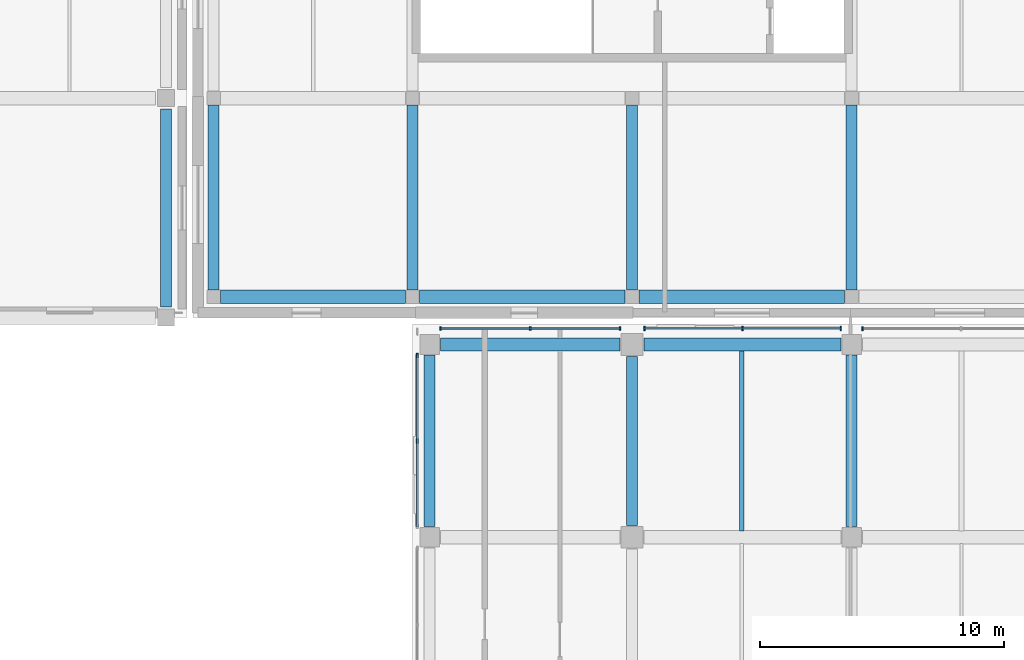
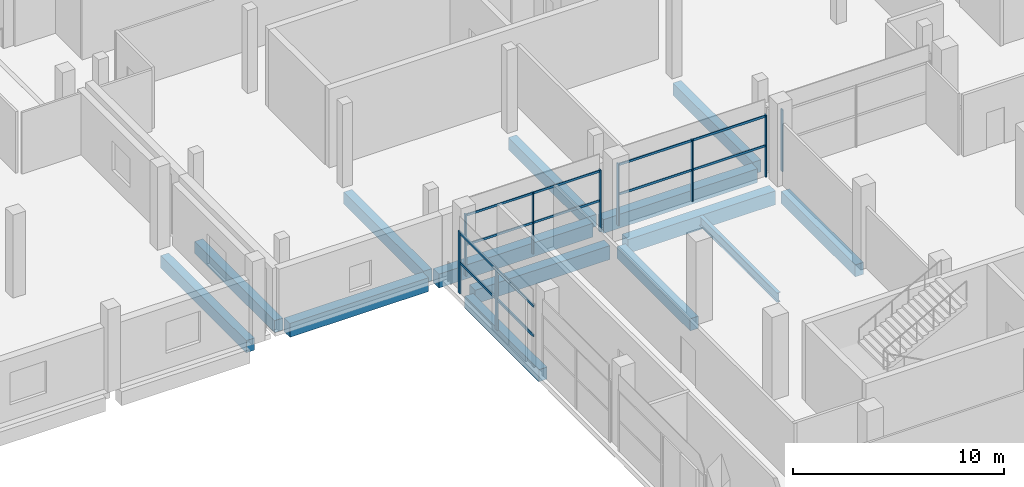
# One storey, part 37 of 111: 15 members, 14 beams, 4 elements without a shape of their own.
"""IFC4 building model written with IfcOpenShell, lengths in metres."""

from ifc_helpers import new_model, si_unit, direction, frame, origin, origin_2d, place, context, subcontext, project, spatial, rectangle, i_section, extrude, material, material_profile, profile_set, type_object, element, aggregate, save


model = new_model("IFC4")

# Units and contexts
model_context = context("Model", 3, precision=1e-05, world=origin(), true_north=direction((0.0, 1.0)))
body_context = subcontext(model_context, "Body", "Model", "MODEL_VIEW")
ifc_project = project(units=[si_unit("LENGTHUNIT", "METRE"), si_unit("AREAUNIT", "SQUARE_METRE"), si_unit("VOLUMEUNIT", "CUBIC_METRE"), si_unit("PLANEANGLEUNIT", "RADIAN"), si_unit("MASSUNIT", "GRAM", prefix="KILO"), si_unit("THERMODYNAMICTEMPERATUREUNIT", "KELVIN"), si_unit("POWERUNIT", "WATT")], contexts=[model_context])

# Site, building, storey
site_placement = place(None, origin())
site = spatial("IfcSite", under=ifc_project, at=site_placement, CompositionType="ELEMENT")
building_placement = place(site_placement, origin())
building = spatial("IfcBuilding", under=site, at=building_placement, Name="Sindhuravela Promenade Stadium", CompositionType="ELEMENT")
storey_placement = place(building_placement, frame((0.0, 0.0, 9.60009765625)))
storey = spatial("IfcBuildingStorey", under=building, at=storey_placement, Name="L02", CompositionType="ELEMENT", Elevation=9.60009765625)

# Curtain wall, members
ifc_material_1 = material(Name="Anodised architectural aluminium 6063-T6", Category="aluminium")
curtain_wall_type_1 = type_object("IfcCurtainWallType", Name="CW-MOD-7", PredefinedType="NOTDEFINED", material=ifc_material_1)
curtain_wall_1_placement = place(storey_placement, origin())
curtain_wall_1 = element("IfcCurtainWall", 1, at=curtain_wall_1_placement, inside=storey, type_object=curtain_wall_type_1, Name="Bronze curtain wall CW-EAST-L02-102", PredefinedType="NOTDEFINED")
ifc_material_profile_1 = material_profile(ifc_material_1, rectangle(XDim=0.074951171875, YDim=0.175048828125, at=origin_2d()), Name="ALU MULL 75x175")
ifc_profile_set_1 = profile_set([ifc_material_profile_1], Name="Anodised architectural aluminium 6063-T6")
member_type_1 = type_object("IfcMemberType", Name="CW-MUL-1", PredefinedType="MULLION", material=ifc_profile_set_1)
member_1_placement = place(storey_placement, frame((171.199951171875, 120.949951171875, 0.0), z_axis=(0.0, 0.0, 1.0), x_axis=(1.0, 0.0, 0.0)))
member_1 = element("IfcMember", 2, at=member_1_placement, type_object=member_type_1, Name="Curtain wall mullion CW-EAST-L02-102-M2", PredefinedType="MULLION", context=body_context, shape_type="SweptSolid", body=[
    extrude(rectangle(XDim=0.074951171875, YDim=0.175048828125, at=origin_2d()), origin(), (0.0, 0.0, 1.0), 3.579833984375),
])
member_2_placement = place(storey_placement, frame((171.199951171875, 124.449951171875, 0.0), z_axis=(0.0, 0.0, 1.0), x_axis=(1.0, 0.0, 0.0)))
member_2 = element("IfcMember", 3, at=member_2_placement, type_object=member_type_1, Name="Curtain wall mullion CW-EAST-L02-102-M3", PredefinedType="MULLION", context=body_context, shape_type="SweptSolid", body=[
    extrude(rectangle(XDim=0.074951171875, YDim=0.175048828125, at=origin_2d()), origin(), (0.0, 0.0, 1.0), 3.579833984375),
])

curtain_wall_type_2 = type_object("IfcCurtainWallType", Name="CW-MOD-8", PredefinedType="NOTDEFINED", material=ifc_material_1)
curtain_wall_2_placement = place(storey_placement, origin())
curtain_wall_2 = element("IfcCurtainWall", 4, at=curtain_wall_2_placement, inside=storey, type_object=curtain_wall_type_2, Name="Bronze curtain wall CW-EAST-L02-103", PredefinedType="NOTDEFINED")
ifc_material_profile_2 = material_profile(ifc_material_1, rectangle(XDim=0.06494140625, YDim=0.14990234375, at=origin_2d()), Name="ALU MULL 65x150")
ifc_profile_set_2 = profile_set([ifc_material_profile_2], Name="Anodised architectural aluminium 6063-T6")
member_type_2 = type_object("IfcMemberType", Name="CW-MUL-2", PredefinedType="MULLION", material=ifc_profile_set_2)
member_3_placement = place(storey_placement, frame((172.14990234375, 125.550048828125, 0.0), z_axis=(0.0, 0.0, 1.0), x_axis=(1.0, 0.0, 0.0)))
member_3 = element("IfcMember", 5, at=member_3_placement, type_object=member_type_2, Name="Curtain wall mullion CW-EAST-L02-103-M1", PredefinedType="MULLION", context=body_context, shape_type="SweptSolid", body=[
    extrude(rectangle(XDim=0.06494140625, YDim=0.14990234375, at=origin_2d()), origin(), (0.0, 0.0, 1.0), 3.579833984375),
])
member_4_placement = place(storey_placement, frame((175.824951171875, 125.550048828125, 0.0), z_axis=(0.0, 0.0, 1.0), x_axis=(1.0, 0.0, 0.0)))
member_4 = element("IfcMember", 6, at=member_4_placement, type_object=member_type_2, Name="Curtain wall mullion CW-EAST-L02-103-M2", PredefinedType="MULLION", context=body_context, shape_type="SweptSolid", body=[
    extrude(rectangle(XDim=0.06494140625, YDim=0.14990234375, at=origin_2d()), origin(), (0.0, 0.0, 1.0), 3.579833984375),
])
member_5_placement = place(storey_placement, frame((179.5, 125.550048828125, 0.0), z_axis=(0.0, 0.0, 1.0), x_axis=(1.0, 0.0, 0.0)))
member_5 = element("IfcMember", 7, at=member_5_placement, type_object=member_type_2, Name="Curtain wall mullion CW-EAST-L02-103-M3", PredefinedType="MULLION", context=body_context, shape_type="SweptSolid", body=[
    extrude(rectangle(XDim=0.06494140625, YDim=0.14990234375, at=origin_2d()), origin(), (0.0, 0.0, 1.0), 3.579833984375),
])

curtain_wall_type_3 = type_object("IfcCurtainWallType", Name="CW-MOD-1", PredefinedType="NOTDEFINED", material=ifc_material_1)
curtain_wall_3_placement = place(storey_placement, origin())
curtain_wall_3 = element("IfcCurtainWall", 8, at=curtain_wall_3_placement, inside=storey, type_object=curtain_wall_type_3, Name="Bronze curtain wall CW-EAST-L02-104", PredefinedType="NOTDEFINED")
ifc_material_profile_3 = material_profile(ifc_material_1, rectangle(XDim=0.06005859375, YDim=0.179931640625, at=origin_2d()), Name="ALU M60x180")
ifc_profile_set_3 = profile_set([ifc_material_profile_3], Name="Anodised architectural aluminium 6063-T6")
member_type_3 = type_object("IfcMemberType", Name="CW-MUL-3", PredefinedType="MULLION", material=ifc_profile_set_3)
member_6_placement = place(storey_placement, frame((180.5, 125.550048828125, 0.0), z_axis=(0.0, 0.0, 1.0), x_axis=(1.0, 0.0, 0.0)))
member_6 = element("IfcMember", 9, at=member_6_placement, type_object=member_type_3, Name="Curtain wall mullion CW-EAST-L02-104-M1", PredefinedType="MULLION", context=body_context, shape_type="SweptSolid", body=[
    extrude(rectangle(XDim=0.06005859375, YDim=0.179931640625, at=origin_2d()), origin(), (0.0, 0.0, 1.0), 3.579833984375),
])
member_7_placement = place(storey_placement, frame((184.52490234375, 125.550048828125, 0.0), z_axis=(0.0, 0.0, 1.0), x_axis=(1.0, 0.0, 0.0)))
member_7 = element("IfcMember", 10, at=member_7_placement, type_object=member_type_3, Name="Curtain wall mullion CW-EAST-L02-104-M2", PredefinedType="MULLION", context=body_context, shape_type="SweptSolid", body=[
    extrude(rectangle(XDim=0.06005859375, YDim=0.179931640625, at=origin_2d()), origin(), (0.0, 0.0, 1.0), 3.579833984375),
])
member_8_placement = place(storey_placement, frame((188.550048828125, 125.550048828125, 0.0), z_axis=(0.0, 0.0, 1.0), x_axis=(1.0, 0.0, 0.0)))
member_8 = element("IfcMember", 11, at=member_8_placement, type_object=member_type_3, Name="Curtain wall mullion CW-EAST-L02-104-M3", PredefinedType="MULLION", context=body_context, shape_type="SweptSolid", body=[
    extrude(rectangle(XDim=0.06005859375, YDim=0.179931640625, at=origin_2d()), origin(), (0.0, 0.0, 1.0), 3.579833984375),
])

# Curtain wall, member
curtain_wall_type_4 = type_object("IfcCurtainWallType", Name="CW-MOD-2", PredefinedType="NOTDEFINED", material=ifc_material_1)
curtain_wall_4_placement = place(storey_placement, origin())
curtain_wall_4 = element("IfcCurtainWall", 12, at=curtain_wall_4_placement, inside=storey, type_object=curtain_wall_type_4, Name="Bronze curtain wall CW-EAST-L02-105", PredefinedType="NOTDEFINED")
ifc_material_profile_4 = material_profile(ifc_material_1, rectangle(XDim=0.06005859375, YDim=0.159912109375, at=origin_2d()), Name="ALU M60x160")
ifc_profile_set_4 = profile_set([ifc_material_profile_4], Name="Anodised architectural aluminium 6063-T6")
member_type_4 = type_object("IfcMemberType", Name="CW-MUL-4", PredefinedType="MULLION", material=ifc_profile_set_4)
member_9_placement = place(storey_placement, frame((189.449951171875, 125.550048828125, 0.0), z_axis=(0.0, 0.0, 1.0), x_axis=(1.0, 0.0, 0.0)))
member_9 = element("IfcMember", 13, at=member_9_placement, type_object=member_type_4, Name="Curtain wall mullion CW-EAST-L02-105-M1", PredefinedType="MULLION", context=body_context, shape_type="SweptSolid", body=[
    extrude(rectangle(XDim=0.06005859375, YDim=0.159912109375, at=origin_2d()), origin(), (0.0, 0.0, 1.0), 3.579833984375),
])
aggregate(curtain_wall_4, [member_9])

# Member
ifc_material_profile_5 = material_profile(ifc_material_1, rectangle(XDim=0.074951171875, YDim=0.14990234375, at=origin_2d()), Name="ALU TRAN 75x150")
ifc_profile_set_5 = profile_set([ifc_material_profile_5], Name="Anodised architectural aluminium 6063-T6")
member_type_5 = type_object("IfcMemberType", Name="CW-TRN-1", PredefinedType="USERDEFINED", material=ifc_profile_set_5)
member_10_placement = place(storey_placement, frame((171.199951171875, 117.425048828125, 1.789794921875), z_axis=(0.0, 1.0, 0.0), x_axis=(-1.0, 0.0, 0.0)))
member_10 = element("IfcMember", 14, at=member_10_placement, type_object=member_type_5, Name="Curtain wall transom CW-EAST-L02-102-T1", ObjectType="TRANSOM", PredefinedType="USERDEFINED", context=body_context, shape_type="SweptSolid", body=[
    extrude(rectangle(XDim=0.074951171875, YDim=0.14990234375, at=origin_2d()), origin(), (0.0, 0.0, 1.0), 7.050048828125),
])

member_11_placement = place(storey_placement, frame((171.199951171875, 117.425048828125, 3.5), z_axis=(0.0, 1.0, 0.0), x_axis=(-1.0, 0.0, 0.0)))
member_11 = element("IfcMember", 15, at=member_11_placement, type_object=member_type_5, Name="Curtain wall transom CW-EAST-L02-102-T2", ObjectType="TRANSOM", PredefinedType="USERDEFINED", context=body_context, shape_type="SweptSolid", body=[
    extrude(rectangle(XDim=0.074951171875, YDim=0.14990234375, at=origin_2d()), origin(), (0.0, 0.0, 1.0), 7.050048828125),
])

aggregate(curtain_wall_1, [member_1, member_2, member_10, member_11])

ifc_material_profile_6 = material_profile(ifc_material_1, rectangle(XDim=0.06494140625, YDim=0.125, at=origin_2d()), Name="ALU TRAN 65x125")
ifc_profile_set_6 = profile_set([ifc_material_profile_6], Name="Anodised architectural aluminium 6063-T6")
member_type_6 = type_object("IfcMemberType", Name="CW-TRN-2", PredefinedType="USERDEFINED", material=ifc_profile_set_6)
member_12_placement = place(storey_placement, frame((172.125, 125.550048828125, 1.789794921875), z_axis=(1.0, 0.0, 0.0), x_axis=(0.0, 1.0, 0.0)))
member_12 = element("IfcMember", 16, at=member_12_placement, type_object=member_type_6, Name="Curtain wall transom CW-EAST-L02-103-T1", ObjectType="TRANSOM", PredefinedType="USERDEFINED", context=body_context, shape_type="SweptSolid", body=[
    extrude(rectangle(XDim=0.06494140625, YDim=0.125, at=origin_2d()), origin(), (0.0, 0.0, 1.0), 7.39990234375),
])

member_13_placement = place(storey_placement, frame((172.125, 125.550048828125, 3.5), z_axis=(1.0, 0.0, 0.0), x_axis=(0.0, 1.0, 0.0)))
member_13 = element("IfcMember", 17, at=member_13_placement, type_object=member_type_6, Name="Curtain wall transom CW-EAST-L02-103-T2", ObjectType="TRANSOM", PredefinedType="USERDEFINED", context=body_context, shape_type="SweptSolid", body=[
    extrude(rectangle(XDim=0.06494140625, YDim=0.125, at=origin_2d()), origin(), (0.0, 0.0, 1.0), 7.39990234375),
])

aggregate(curtain_wall_2, [member_3, member_4, member_5, member_12, member_13])

ifc_material_profile_7 = material_profile(ifc_material_1, rectangle(XDim=0.06005859375, YDim=0.1298828125, at=origin_2d()), Name="ALU T60x130")
ifc_profile_set_7 = profile_set([ifc_material_profile_7], Name="Anodised architectural aluminium 6063-T6")
member_type_7 = type_object("IfcMemberType", Name="CW-TRN-3", PredefinedType="USERDEFINED", material=ifc_profile_set_7)
member_14_placement = place(storey_placement, frame((180.47509765625, 125.550048828125, 1.789794921875), z_axis=(1.0, 0.0, 0.0), x_axis=(0.0, 1.0, 0.0)))
member_14 = element("IfcMember", 18, at=member_14_placement, type_object=member_type_7, Name="Curtain wall transom CW-EAST-L02-104-T1", ObjectType="TRANSOM", PredefinedType="USERDEFINED", context=body_context, shape_type="SweptSolid", body=[
    extrude(rectangle(XDim=0.06005859375, YDim=0.1298828125, at=origin_2d()), origin(), (0.0, 0.0, 1.0), 8.099853515625),
])

member_15_placement = place(storey_placement, frame((180.47509765625, 125.550048828125, 3.5), z_axis=(1.0, 0.0, 0.0), x_axis=(0.0, 1.0, 0.0)))
member_15 = element("IfcMember", 19, at=member_15_placement, type_object=member_type_7, Name="Curtain wall transom CW-EAST-L02-104-T2", ObjectType="TRANSOM", PredefinedType="USERDEFINED", context=body_context, shape_type="SweptSolid", body=[
    extrude(rectangle(XDim=0.06005859375, YDim=0.1298828125, at=origin_2d()), origin(), (0.0, 0.0, 1.0), 8.099853515625),
])

aggregate(curtain_wall_3, [member_6, member_7, member_8, member_14, member_15])

# Beams
ifc_material_2 = material(Name="Concrete M40", Category="concrete")
ifc_material_profile_8 = material_profile(ifc_material_2, rectangle(XDim=0.449951171875, YDim=0.699951171875, at=origin_2d()), Name="RC 450x700")
ifc_profile_set_8 = profile_set([ifc_material_profile_8], Name="Concrete M40")
beam_type_1 = type_object("IfcBeamType", Name="RC-BM-450x700", PredefinedType="BEAM", material=ifc_profile_set_8)
beam_1_placement = place(storey_placement, frame((171.699951171875, 117.43994140625, -0.630126953125), z_axis=(0.0, 1.0, 0.0), x_axis=(-1.0, 0.0, 0.0)))
element("IfcBeam", 20, at=beam_1_placement, inside=storey, type_object=beam_type_1, Name="Primary beam GB07 EAST L02", PredefinedType="BEAM", context=body_context, shape_type="SweptSolid", body=[
    extrude(rectangle(XDim=0.449951171875, YDim=0.699951171875, at=origin_2d()), origin(), (0.0, 0.0, 1.0), 7.02001953125),
])
beam_2_placement = place(storey_placement, frame((180.0, 117.489990234375, -0.630126953125), z_axis=(0.0, 1.0, 0.0), x_axis=(-1.0, 0.0, 0.0)))
element("IfcBeam", 21, at=beam_2_placement, inside=storey, type_object=beam_type_1, Name="Primary beam GB07 EAST L02", PredefinedType="BEAM", context=body_context, shape_type="SweptSolid", body=[
    extrude(rectangle(XDim=0.449951171875, YDim=0.699951171875, at=origin_2d()), origin(), (0.0, 0.0, 1.0), 6.919921875),
])
beam_3_placement = place(storey_placement, frame((189.0, 117.43994140625, -0.630126953125), z_axis=(0.0, 1.0, 0.0), x_axis=(-1.0, 0.0, 0.0)))
element("IfcBeam", 22, at=beam_3_placement, inside=storey, type_object=beam_type_1, Name="Primary beam GB07 EAST L02", PredefinedType="BEAM", context=body_context, shape_type="SweptSolid", body=[
    extrude(rectangle(XDim=0.449951171875, YDim=0.699951171875, at=origin_2d()), origin(), (0.0, 0.0, 1.0), 7.02001953125),
])
beam_4_placement = place(storey_placement, frame((160.89990234375, 126.43994140625, -0.630126953125), z_axis=(0.0, 1.0, 0.0), x_axis=(-1.0, 0.0, 0.0)))
element("IfcBeam", 23, at=beam_4_placement, inside=storey, type_object=beam_type_1, Name="Primary beam GB07 NORTH L02", PredefinedType="BEAM", context=body_context, shape_type="SweptSolid", body=[
    extrude(rectangle(XDim=0.449951171875, YDim=0.699951171875, at=origin_2d()), origin(), (0.0, 0.0, 1.0), 8.1201171875),
])
for number, where, z_axis, x_axis, name in (
    (24, (162.85009765625, 127.139892578125, -0.585205078125), (0.0, 1.0, 0.0), (-1.0, 0.0, 0.0), "Primary beam GB07 Pavilion NE L02"),
    (25, (171.0, 127.139892578125, -0.585205078125), (0.0, 1.0, 0.0), (-1.0, 0.0, 0.0), "Primary beam GB07 Pavilion NE L02"),
    (26, (180.0, 127.139892578125, -0.585205078125), (0.0, 1.0, 0.0), (-1.0, 0.0, 0.0), "Primary beam GB07 Pavilion NE L02"),
    (27, (189.0, 127.139892578125, -0.585205078125), (0.0, 1.0, 0.0), (-1.0, 0.0, 0.0), "Primary beam GB07 Pavilion NE L02"),
):
    element("IfcBeam", number, at=place(storey_placement, frame(where, z_axis=z_axis, x_axis=x_axis)), inside=storey, type_object=beam_type_1, Name=name, PredefinedType="BEAM", context=body_context, shape_type="SweptSolid", body=[
        extrude(rectangle(XDim=0.449951171875, YDim=0.699951171875, at=origin_2d()), origin(), (0.0, 0.0, 1.0), 7.570068359375),
    ])
ifc_material_profile_9 = material_profile(ifc_material_2, rectangle(XDim=0.550048828125, YDim=0.800048828125, at=origin_2d()), Name="RC 550x800")
ifc_profile_set_9 = profile_set([ifc_material_profile_9], Name="Concrete M40")
beam_type_2 = type_object("IfcBeamType", Name="RC-BM-550x800", PredefinedType="BEAM", material=ifc_profile_set_9)
beam_5_placement = place(storey_placement, frame((172.139892578125, 124.89990234375, -0.68017578125), z_axis=(1.0, 0.0, 0.0), x_axis=(0.0, 1.0, 0.0)))
element("IfcBeam", 28, at=beam_5_placement, inside=storey, type_object=beam_type_2, Name="Primary girder GB05 EAST L02", PredefinedType="BEAM", context=body_context, shape_type="SweptSolid", body=[
    extrude(rectangle(XDim=0.550048828125, YDim=0.800048828125, at=origin_2d()), origin(), (0.0, 0.0, 1.0), 7.3701171875),
])
beam_6_placement = place(storey_placement, frame((180.489990234375, 124.89990234375, -0.68017578125), z_axis=(1.0, 0.0, 0.0), x_axis=(0.0, 1.0, 0.0)))
element("IfcBeam", 29, at=beam_6_placement, inside=storey, type_object=beam_type_2, Name="Primary girder GB05 EAST L02", PredefinedType="BEAM", context=body_context, shape_type="SweptSolid", body=[
    extrude(rectangle(XDim=0.550048828125, YDim=0.800048828125, at=origin_2d()), origin(), (0.0, 0.0, 1.0), 8.070068359375),
])
beam_7_placement = place(storey_placement, frame((163.139892578125, 126.85009765625, -0.635009765625), z_axis=(1.0, 0.0, 0.0), x_axis=(0.0, 1.0, 0.0)))
element("IfcBeam", 30, at=beam_7_placement, inside=storey, type_object=beam_type_2, Name="Primary girder GB05 Pavilion NE L02", PredefinedType="BEAM", context=body_context, shape_type="SweptSolid", body=[
    extrude(rectangle(XDim=0.550048828125, YDim=0.800048828125, at=origin_2d()), origin(), (0.0, 0.0, 1.0), 7.570068359375),
])
for number, where, z_axis, x_axis, name in (
    (31, (171.2900390625, 126.85009765625, -0.635009765625), (1.0, 0.0, 0.0), (0.0, 1.0, 0.0), "Primary girder GB05 Pavilion NE L02"),
    (32, (180.2900390625, 126.85009765625, -0.635009765625), (1.0, 0.0, 0.0), (0.0, 1.0, 0.0), "Primary girder GB05 Pavilion NE L02"),
):
    element("IfcBeam", number, at=place(storey_placement, frame(where, z_axis=z_axis, x_axis=x_axis)), inside=storey, type_object=beam_type_2, Name=name, PredefinedType="BEAM", context=body_context, shape_type="SweptSolid", body=[
        extrude(rectangle(XDim=0.550048828125, YDim=0.800048828125, at=origin_2d()), origin(), (0.0, 0.0, 1.0), 8.419921875),
    ])
ifc_material_3 = material(Name="Steel E350 (IS 2062 E350BR)", Category="steel")
ifc_material_profile_10 = material_profile(ifc_material_3, i_section(OverallWidth=0.18994140625, OverallDepth=0.550048828125, WebThickness=0.01123046875, FlangeThickness=0.019287109375, FilletRadius=0.01806640625, at=origin_2d()), Name="ISMB 550")
ifc_profile_set_10 = profile_set([ifc_material_profile_10], Name="Steel E350 (IS 2062 E350BR)")
beam_type_3 = type_object("IfcBeamType", Name="ST-BM-MB550", PredefinedType="SPANDREL", material=ifc_profile_set_10)
beam_8_placement = place(storey_placement, frame((184.5, 117.264892578125, -0.55517578125), z_axis=(0.0, 1.0, 0.0), x_axis=(-1.0, 0.0, 0.0)))
element("IfcBeam", 33, at=beam_8_placement, inside=storey, type_object=beam_type_3, Name="Secondary floor joist SB08 EAST L02", PredefinedType="SPANDREL", context=body_context, shape_type="SweptSolid", body=[
    extrude(i_section(OverallWidth=0.18994140625, OverallDepth=0.550048828125, WebThickness=0.01123046875, FlangeThickness=0.019287109375, FilletRadius=0.01806640625, at=origin_2d()), origin(), (0.0, 0.0, 1.0), 7.3701171875),
])

save(model, "model.ifc")
